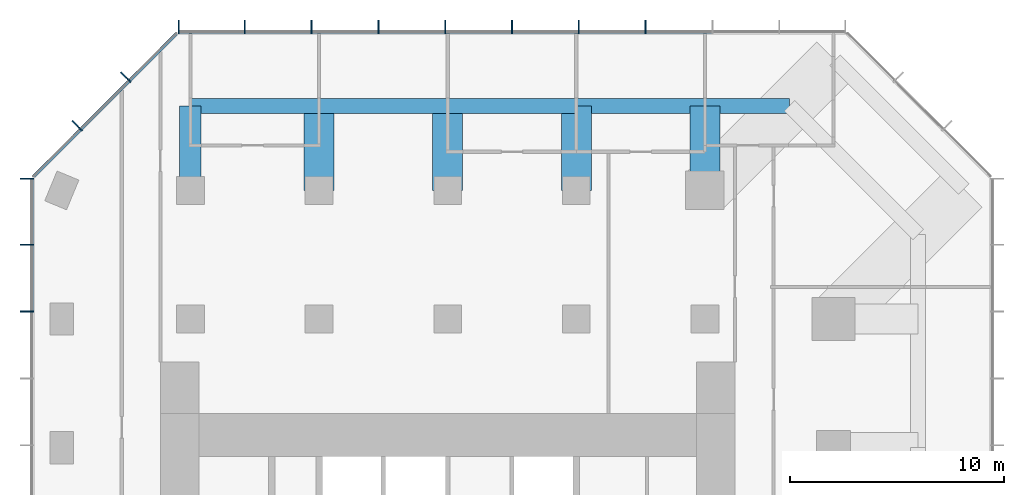
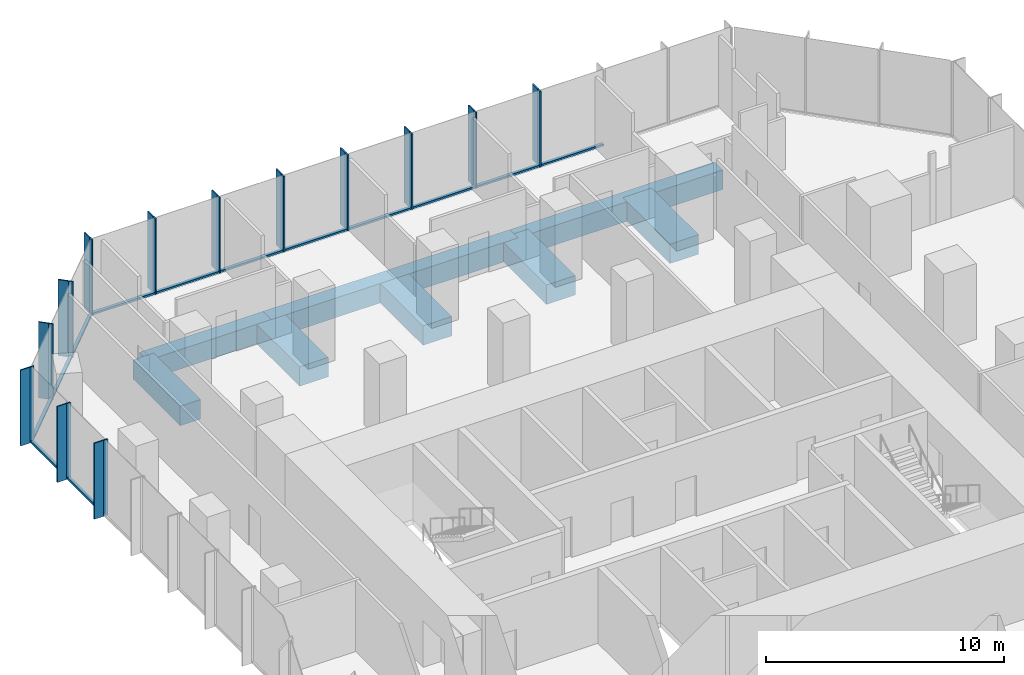
# One storey, part 5 of 11: 39 members, 9 beams, 3 elements without a shape of their own.
"""IFC4 building model written with IfcOpenShell, lengths in metres."""

from ifc_helpers import new_model, si_unit, direction, frame, origin, origin_2d, place, context, subcontext, project, spatial, rectangle, extrude, material, layer, layer_set, material_profile, profile_set, type_object, element, aggregate, save


model = new_model("IFC4")

# Units and contexts
model_context = context("Model", 3, precision=1e-05, world=origin(), true_north=direction((0.0, 1.0)))
body_context = subcontext(model_context, "Body", "Model", "MODEL_VIEW")
ifc_project = project(units=[si_unit("LENGTHUNIT", "METRE"), si_unit("AREAUNIT", "SQUARE_METRE"), si_unit("VOLUMEUNIT", "CUBIC_METRE"), si_unit("PLANEANGLEUNIT", "RADIAN"), si_unit("MASSUNIT", "GRAM", prefix="KILO")], contexts=[model_context])

# Site, building, storey
site_placement = place(None, origin())
site = spatial("IfcSite", under=ifc_project, at=site_placement, CompositionType="ELEMENT")
building_placement = place(site_placement, origin())
building = spatial("IfcBuilding", under=site, at=building_placement, Name="Highveld Stack Headquarters", CompositionType="ELEMENT")
storey_placement = place(building_placement, frame((0.0, 0.0, 177.199951171875)))
storey = spatial("IfcBuildingStorey", under=building, at=storey_placement, Name="L43", CompositionType="ELEMENT", Elevation=177.199951171875)

# Beams
ifc_material_1 = material(Name="Concrete C60/75", Category="concrete")
ifc_material_profile_1 = material_profile(ifc_material_1, rectangle(XDim=1.0, YDim=1.0, at=origin_2d()), Name="RC 1000x1000")
ifc_profile_set_1 = profile_set([ifc_material_profile_1], Name="Concrete C60/75")
beam_type_1 = type_object("IfcBeamType", Name="CANTILEVER RIB RC 1000x1000", PredefinedType="USERDEFINED", material=ifc_profile_set_1)
beam_1_placement = place(storey_placement, frame((-6.0, 24.0, -0.75), z_axis=(0.0, 1.0, 0.0), x_axis=(-1.0, 0.0, 0.0)))
element("IfcBeam", 1, at=beam_1_placement, inside=storey, type_object=beam_type_1, Name="Cantilever rib 5/J L43", ObjectType="CANTILEVER RIB", PredefinedType="USERDEFINED", context=body_context, shape_type="SweptSolid", body=[
    extrude(rectangle(XDim=1.0, YDim=1.0, at=origin_2d()), origin(), (0.0, 0.0, 1.0), 3.949951171875),
])
ifc_material_2 = material(Name="Concrete C60/75", Category="concrete")
ifc_material_profile_2 = material_profile(ifc_material_2, rectangle(XDim=1.39990234375, YDim=1.0, at=origin_2d()), Name="RC 1400x1000")
ifc_profile_set_2 = profile_set([ifc_material_profile_2], Name="Concrete C60/75")
beam_type_2 = type_object("IfcBeamType", Name="CANTILEVER RIB RC 1400x1000", PredefinedType="USERDEFINED", material=ifc_profile_set_2)
for number, where, z_axis, x_axis, name in (
    (2, (0.0, 24.0, -0.75), (0.0, 1.0, 0.0), (-1.0, 0.0, 0.0), "Cantilever rib 6/J L43"),
    (3, (6.0, 24.0, -0.75), (0.0, 1.0, 0.0), (-1.0, 0.0, 0.0), "Cantilever rib 7/J L43"),
    (4, (12.0, 24.0, -0.75), (0.0, 1.0, 0.0), (-1.0, 0.0, 0.0), "Cantilever rib 8/J L43"),
    (5, (18.0, 24.0, -0.75), (0.0, 1.0, 0.0), (-1.0, 0.0, 0.0), "Cantilever rib 9/J L43"),
):
    element("IfcBeam", number, at=place(storey_placement, frame(where, z_axis=z_axis, x_axis=x_axis)), inside=storey, type_object=beam_type_2, Name=name, ObjectType="CANTILEVER RIB", PredefinedType="USERDEFINED", context=body_context, shape_type="SweptSolid", body=[
        extrude(rectangle(XDim=1.39990234375, YDim=1.0, at=origin_2d()), origin(), (0.0, 0.0, 1.0), 3.949951171875),
    ])

# Curtain wall, members
ifc_material_3 = material(Name="Aluminium bronze anodised", Category="aluminium")
ifc_layer_1 = layer(ifc_material_3, 0.199951171875)
ifc_layer_set_1 = layer_set([ifc_layer_1], Name="Aluminium bronze anodised")
curtain_wall_type_1 = type_object("IfcCurtainWallType", Name="CW1 TOWER UNITISED CURTAIN WALL", PredefinedType="NOTDEFINED", material=ifc_layer_set_1)
curtain_wall_1_placement = place(storey_placement, origin())
curtain_wall_1 = element("IfcCurtainWall", 6, at=curtain_wall_1_placement, inside=storey, type_object=curtain_wall_type_1, Name="Curtain wall CW1 L43 N", PredefinedType="NOTDEFINED")
ifc_material_4 = material(Name="Aluminium bronze anodised", Category="aluminium")
ifc_material_profile_3 = material_profile(ifc_material_4, rectangle(XDim=0.449951171875, YDim=0.06005859375, at=origin_2d()), Name="FIN 450x60")
ifc_profile_set_3 = profile_set([ifc_material_profile_3], Name="Aluminium bronze anodised")
member_type_1 = type_object("IfcMemberType", Name="CW1 BRONZE FIN 450x60", PredefinedType="USERDEFINED", material=ifc_profile_set_3)
member_1_placement = place(storey_placement, frame((15.23193359375, 31.72509765625, 0.0), z_axis=(0.0, 0.0, 1.0), x_axis=(0.0, -1.0, 0.0)))
member_1 = element("IfcMember", 7, at=member_1_placement, type_object=member_type_1, Name="CW1 fin L43 4", ObjectType="FIN", PredefinedType="USERDEFINED", context=body_context, shape_type="SweptSolid", body=[
    extrude(rectangle(XDim=0.449951171875, YDim=0.06005859375, at=origin_2d()), origin(), (0.0, 0.0, 1.0), 3.900146484375),
])
member_2_placement = place(storey_placement, frame((12.115966796875, 31.72509765625, 0.0), z_axis=(0.0, 0.0, 1.0), x_axis=(0.0, -1.0, 0.0)))
member_2 = element("IfcMember", 8, at=member_2_placement, type_object=member_type_1, Name="CW1 fin L43 5", ObjectType="FIN", PredefinedType="USERDEFINED", context=body_context, shape_type="SweptSolid", body=[
    extrude(rectangle(XDim=0.449951171875, YDim=0.06005859375, at=origin_2d()), origin(), (0.0, 0.0, 1.0), 3.900146484375),
])
member_3_placement = place(storey_placement, frame((9.0, 31.72509765625, 0.0), z_axis=(0.0, 0.0, 1.0), x_axis=(0.0, -1.0, 0.0)))
member_3 = element("IfcMember", 9, at=member_3_placement, type_object=member_type_1, Name="CW1 fin L43 6", ObjectType="FIN", PredefinedType="USERDEFINED", context=body_context, shape_type="SweptSolid", body=[
    extrude(rectangle(XDim=0.449951171875, YDim=0.06005859375, at=origin_2d()), origin(), (0.0, 0.0, 1.0), 3.900146484375),
])
member_4_placement = place(storey_placement, frame((5.884033203125, 31.72509765625, 0.0), z_axis=(0.0, 0.0, 1.0), x_axis=(0.0, -1.0, 0.0)))
member_4 = element("IfcMember", 10, at=member_4_placement, type_object=member_type_1, Name="CW1 fin L43 7", ObjectType="FIN", PredefinedType="USERDEFINED", context=body_context, shape_type="SweptSolid", body=[
    extrude(rectangle(XDim=0.449951171875, YDim=0.06005859375, at=origin_2d()), origin(), (0.0, 0.0, 1.0), 3.900146484375),
])
member_5_placement = place(storey_placement, frame((2.76806640625, 31.72509765625, 0.0), z_axis=(0.0, 0.0, 1.0), x_axis=(0.0, -1.0, 0.0)))
member_5 = element("IfcMember", 11, at=member_5_placement, type_object=member_type_1, Name="CW1 fin L43 8", ObjectType="FIN", PredefinedType="USERDEFINED", context=body_context, shape_type="SweptSolid", body=[
    extrude(rectangle(XDim=0.449951171875, YDim=0.06005859375, at=origin_2d()), origin(), (0.0, 0.0, 1.0), 3.900146484375),
])
member_6_placement = place(storey_placement, frame((-0.347900390625, 31.72509765625, 0.0), z_axis=(0.0, 0.0, 1.0), x_axis=(0.0, -1.0, 0.0)))
member_6 = element("IfcMember", 12, at=member_6_placement, type_object=member_type_1, Name="CW1 fin L43 9", ObjectType="FIN", PredefinedType="USERDEFINED", context=body_context, shape_type="SweptSolid", body=[
    extrude(rectangle(XDim=0.449951171875, YDim=0.06005859375, at=origin_2d()), origin(), (0.0, 0.0, 1.0), 3.900146484375),
])
member_7_placement = place(storey_placement, frame((-3.4638671875, 31.72509765625, 0.0), z_axis=(0.0, 0.0, 1.0), x_axis=(0.0, -1.0, 0.0)))
member_7 = element("IfcMember", 13, at=member_7_placement, type_object=member_type_1, Name="CW1 fin L43 10", ObjectType="FIN", PredefinedType="USERDEFINED", context=body_context, shape_type="SweptSolid", body=[
    extrude(rectangle(XDim=0.449951171875, YDim=0.06005859375, at=origin_2d()), origin(), (0.0, 0.0, 1.0), 3.900146484375),
])
member_8_placement = place(storey_placement, frame((-6.54736328125, 31.72509765625, 0.0), z_axis=(0.0, 0.0, 1.0), x_axis=(0.0, -1.0, 0.0)))
member_8 = element("IfcMember", 14, at=member_8_placement, type_object=member_type_1, Name="CW1 fin L43 11", ObjectType="FIN", PredefinedType="USERDEFINED", context=body_context, shape_type="SweptSolid", body=[
    extrude(rectangle(XDim=0.449951171875, YDim=0.06005859375, at=origin_2d()), origin(), (0.0, 0.0, 1.0), 3.900146484375),
])

curtain_wall_2_placement = place(storey_placement, origin())
curtain_wall_2 = element("IfcCurtainWall", 15, at=curtain_wall_2_placement, inside=storey, type_object=curtain_wall_type_1, Name="Curtain wall CW1 L43 W", PredefinedType="NOTDEFINED")
member_9_placement = place(storey_placement, frame((-13.72509765625, 24.54736328125, 0.0), z_axis=(0.0, 0.0, 1.0), x_axis=(1.0, 0.0, 0.0)))
member_9 = element("IfcMember", 16, at=member_9_placement, type_object=member_type_1, Name="CW1 fin L43 1", ObjectType="FIN", PredefinedType="USERDEFINED", context=body_context, shape_type="SweptSolid", body=[
    extrude(rectangle(XDim=0.449951171875, YDim=0.06005859375, at=origin_2d()), origin(), (0.0, 0.0, 1.0), 3.900146484375),
])
member_10_placement = place(storey_placement, frame((-13.72509765625, 21.4638671875, 0.0), z_axis=(0.0, 0.0, 1.0), x_axis=(1.0, 0.0, 0.0)))
member_10 = element("IfcMember", 17, at=member_10_placement, type_object=member_type_1, Name="CW1 fin L43 2", ObjectType="FIN", PredefinedType="USERDEFINED", context=body_context, shape_type="SweptSolid", body=[
    extrude(rectangle(XDim=0.449951171875, YDim=0.06005859375, at=origin_2d()), origin(), (0.0, 0.0, 1.0), 3.900146484375),
])
member_11_placement = place(storey_placement, frame((-13.72509765625, 18.347900390625, 0.0), z_axis=(0.0, 0.0, 1.0), x_axis=(1.0, 0.0, 0.0)))
member_11 = element("IfcMember", 18, at=member_11_placement, type_object=member_type_1, Name="CW1 fin L43 3", ObjectType="FIN", PredefinedType="USERDEFINED", context=body_context, shape_type="SweptSolid", body=[
    extrude(rectangle(XDim=0.449951171875, YDim=0.06005859375, at=origin_2d()), origin(), (0.0, 0.0, 1.0), 3.900146484375),
])

# Member
ifc_material_5 = material(Name="Aluminium bronze anodised", Category="aluminium")
ifc_material_profile_4 = material_profile(ifc_material_5, rectangle(XDim=0.199951171875, YDim=0.06494140625, at=origin_2d()), Name="CW1 MULLION 65x200")
ifc_profile_set_4 = profile_set([ifc_material_profile_4], Name="Aluminium bronze anodised")
member_type_2 = type_object("IfcMemberType", Name="CW1 MULLION 65x200", PredefinedType="MULLION", material=ifc_profile_set_4)
member_12_placement = place(storey_placement, frame((15.23193359375, 31.39990234375, 0.0), z_axis=(0.0, 0.0, 1.0), x_axis=(0.0, -1.0, 0.0)))
member_12 = element("IfcMember", 19, at=member_12_placement, type_object=member_type_2, Name="CW1 mullion L43 4", PredefinedType="MULLION", context=body_context, shape_type="SweptSolid", body=[
    extrude(rectangle(XDim=0.199951171875, YDim=0.06494140625, at=origin_2d()), origin(), (0.0, 0.0, 1.0), 3.900146484375),
])

member_13_placement = place(storey_placement, frame((12.115966796875, 31.39990234375, 0.0), z_axis=(0.0, 0.0, 1.0), x_axis=(0.0, -1.0, 0.0)))
member_13 = element("IfcMember", 20, at=member_13_placement, type_object=member_type_2, Name="CW1 mullion L43 5", PredefinedType="MULLION", context=body_context, shape_type="SweptSolid", body=[
    extrude(rectangle(XDim=0.199951171875, YDim=0.06494140625, at=origin_2d()), origin(), (0.0, 0.0, 1.0), 3.900146484375),
])

member_14_placement = place(storey_placement, frame((9.0, 31.39990234375, 0.0), z_axis=(0.0, 0.0, 1.0), x_axis=(0.0, -1.0, 0.0)))
member_14 = element("IfcMember", 21, at=member_14_placement, type_object=member_type_2, Name="CW1 mullion L43 6", PredefinedType="MULLION", context=body_context, shape_type="SweptSolid", body=[
    extrude(rectangle(XDim=0.199951171875, YDim=0.06494140625, at=origin_2d()), origin(), (0.0, 0.0, 1.0), 3.900146484375),
])

member_15_placement = place(storey_placement, frame((5.884033203125, 31.39990234375, 0.0), z_axis=(0.0, 0.0, 1.0), x_axis=(0.0, -1.0, 0.0)))
member_15 = element("IfcMember", 22, at=member_15_placement, type_object=member_type_2, Name="CW1 mullion L43 7", PredefinedType="MULLION", context=body_context, shape_type="SweptSolid", body=[
    extrude(rectangle(XDim=0.199951171875, YDim=0.06494140625, at=origin_2d()), origin(), (0.0, 0.0, 1.0), 3.900146484375),
])

member_16_placement = place(storey_placement, frame((2.76806640625, 31.39990234375, 0.0), z_axis=(0.0, 0.0, 1.0), x_axis=(0.0, -1.0, 0.0)))
member_16 = element("IfcMember", 23, at=member_16_placement, type_object=member_type_2, Name="CW1 mullion L43 8", PredefinedType="MULLION", context=body_context, shape_type="SweptSolid", body=[
    extrude(rectangle(XDim=0.199951171875, YDim=0.06494140625, at=origin_2d()), origin(), (0.0, 0.0, 1.0), 3.900146484375),
])

member_17_placement = place(storey_placement, frame((-0.347900390625, 31.39990234375, 0.0), z_axis=(0.0, 0.0, 1.0), x_axis=(0.0, -1.0, 0.0)))
member_17 = element("IfcMember", 24, at=member_17_placement, type_object=member_type_2, Name="CW1 mullion L43 9", PredefinedType="MULLION", context=body_context, shape_type="SweptSolid", body=[
    extrude(rectangle(XDim=0.199951171875, YDim=0.06494140625, at=origin_2d()), origin(), (0.0, 0.0, 1.0), 3.900146484375),
])

member_18_placement = place(storey_placement, frame((-3.4638671875, 31.39990234375, 0.0), z_axis=(0.0, 0.0, 1.0), x_axis=(0.0, -1.0, 0.0)))
member_18 = element("IfcMember", 25, at=member_18_placement, type_object=member_type_2, Name="CW1 mullion L43 10", PredefinedType="MULLION", context=body_context, shape_type="SweptSolid", body=[
    extrude(rectangle(XDim=0.199951171875, YDim=0.06494140625, at=origin_2d()), origin(), (0.0, 0.0, 1.0), 3.900146484375),
])

member_19_placement = place(storey_placement, frame((-6.54736328125, 31.39990234375, 0.0), z_axis=(0.0, 0.0, 1.0), x_axis=(0.0, -1.0, 0.0)))
member_19 = element("IfcMember", 26, at=member_19_placement, type_object=member_type_2, Name="CW1 mullion L43 11", PredefinedType="MULLION", context=body_context, shape_type="SweptSolid", body=[
    extrude(rectangle(XDim=0.199951171875, YDim=0.06494140625, at=origin_2d()), origin(), (0.0, 0.0, 1.0), 3.900146484375),
])

member_20_placement = place(storey_placement, frame((-13.39990234375, 24.54736328125, 0.0), z_axis=(0.0, 0.0, 1.0), x_axis=(1.0, 0.0, 0.0)))
member_20 = element("IfcMember", 27, at=member_20_placement, type_object=member_type_2, Name="CW1 mullion L43 1", PredefinedType="MULLION", context=body_context, shape_type="SweptSolid", body=[
    extrude(rectangle(XDim=0.199951171875, YDim=0.06494140625, at=origin_2d()), origin(), (0.0, 0.0, 1.0), 3.900146484375),
])

member_21_placement = place(storey_placement, frame((-13.39990234375, 21.4638671875, 0.0), z_axis=(0.0, 0.0, 1.0), x_axis=(1.0, 0.0, 0.0)))
member_21 = element("IfcMember", 28, at=member_21_placement, type_object=member_type_2, Name="CW1 mullion L43 2", PredefinedType="MULLION", context=body_context, shape_type="SweptSolid", body=[
    extrude(rectangle(XDim=0.199951171875, YDim=0.06494140625, at=origin_2d()), origin(), (0.0, 0.0, 1.0), 3.900146484375),
])

member_22_placement = place(storey_placement, frame((-13.39990234375, 18.347900390625, 0.0), z_axis=(0.0, 0.0, 1.0), x_axis=(1.0, 0.0, 0.0)))
member_22 = element("IfcMember", 29, at=member_22_placement, type_object=member_type_2, Name="CW1 mullion L43 3", PredefinedType="MULLION", context=body_context, shape_type="SweptSolid", body=[
    extrude(rectangle(XDim=0.199951171875, YDim=0.06494140625, at=origin_2d()), origin(), (0.0, 0.0, 1.0), 3.900146484375),
])

ifc_material_6 = material(Name="Aluminium bronze anodised", Category="aluminium")
ifc_material_profile_5 = material_profile(ifc_material_6, rectangle(XDim=0.14990234375, YDim=0.10009765625, at=origin_2d()), Name="CW1 TRANSOM 150x100")
ifc_profile_set_5 = profile_set([ifc_material_profile_5], Name="Aluminium bronze anodised")
member_type_3 = type_object("IfcMemberType", Name="CW1 STACK TRANSOM 150x100", PredefinedType="USERDEFINED", material=ifc_profile_set_5)
member_23_placement = place(storey_placement, frame((18.3154296875, 31.39990234375, 0.050048828125), z_axis=(-1.0, 0.0, 0.0), x_axis=(0.0, -1.0, 0.0)))
member_23 = element("IfcMember", 30, at=member_23_placement, type_object=member_type_3, Name="CW1 transom L43 3.1", ObjectType="TRANSOM", PredefinedType="USERDEFINED", context=body_context, shape_type="SweptSolid", body=[
    extrude(rectangle(XDim=0.14990234375, YDim=0.10009765625, at=origin_2d()), origin(), (0.0, 0.0, 1.0), 3.051025390625),
])

member_24_placement = place(storey_placement, frame((15.199462890625, 31.39990234375, 0.050048828125), z_axis=(-1.0, 0.0, 0.0), x_axis=(0.0, -1.0, 0.0)))
member_24 = element("IfcMember", 31, at=member_24_placement, type_object=member_type_3, Name="CW1 transom L43 4.1", ObjectType="TRANSOM", PredefinedType="USERDEFINED", context=body_context, shape_type="SweptSolid", body=[
    extrude(rectangle(XDim=0.14990234375, YDim=0.10009765625, at=origin_2d()), origin(), (0.0, 0.0, 1.0), 3.051025390625),
])

member_25_placement = place(storey_placement, frame((12.08349609375, 31.39990234375, 0.050048828125), z_axis=(-1.0, 0.0, 0.0), x_axis=(0.0, -1.0, 0.0)))
member_25 = element("IfcMember", 32, at=member_25_placement, type_object=member_type_3, Name="CW1 transom L43 5.1", ObjectType="TRANSOM", PredefinedType="USERDEFINED", context=body_context, shape_type="SweptSolid", body=[
    extrude(rectangle(XDim=0.14990234375, YDim=0.10009765625, at=origin_2d()), origin(), (0.0, 0.0, 1.0), 3.051025390625),
])

member_26_placement = place(storey_placement, frame((8.967529296875, 31.39990234375, 0.050048828125), z_axis=(-1.0, 0.0, 0.0), x_axis=(0.0, -1.0, 0.0)))
member_26 = element("IfcMember", 33, at=member_26_placement, type_object=member_type_3, Name="CW1 transom L43 6.1", ObjectType="TRANSOM", PredefinedType="USERDEFINED", context=body_context, shape_type="SweptSolid", body=[
    extrude(rectangle(XDim=0.14990234375, YDim=0.10009765625, at=origin_2d()), origin(), (0.0, 0.0, 1.0), 3.051025390625),
])

member_27_placement = place(storey_placement, frame((5.8515625, 31.39990234375, 0.050048828125), z_axis=(-1.0, 0.0, 0.0), x_axis=(0.0, -1.0, 0.0)))
member_27 = element("IfcMember", 34, at=member_27_placement, type_object=member_type_3, Name="CW1 transom L43 7.1", ObjectType="TRANSOM", PredefinedType="USERDEFINED", context=body_context, shape_type="SweptSolid", body=[
    extrude(rectangle(XDim=0.14990234375, YDim=0.10009765625, at=origin_2d()), origin(), (0.0, 0.0, 1.0), 3.051025390625),
])

member_28_placement = place(storey_placement, frame((2.735595703125, 31.39990234375, 0.050048828125), z_axis=(-1.0, 0.0, 0.0), x_axis=(0.0, -1.0, 0.0)))
member_28 = element("IfcMember", 35, at=member_28_placement, type_object=member_type_3, Name="CW1 transom L43 8.1", ObjectType="TRANSOM", PredefinedType="USERDEFINED", context=body_context, shape_type="SweptSolid", body=[
    extrude(rectangle(XDim=0.14990234375, YDim=0.10009765625, at=origin_2d()), origin(), (0.0, 0.0, 1.0), 3.051025390625),
])

member_29_placement = place(storey_placement, frame((-0.38037109375, 31.39990234375, 0.050048828125), z_axis=(-1.0, 0.0, 0.0), x_axis=(0.0, -1.0, 0.0)))
member_29 = element("IfcMember", 36, at=member_29_placement, type_object=member_type_3, Name="CW1 transom L43 9.1", ObjectType="TRANSOM", PredefinedType="USERDEFINED", context=body_context, shape_type="SweptSolid", body=[
    extrude(rectangle(XDim=0.14990234375, YDim=0.10009765625, at=origin_2d()), origin(), (0.0, 0.0, 1.0), 3.051025390625),
])

member_30_placement = place(storey_placement, frame((-3.496337890625, 31.39990234375, 0.050048828125), z_axis=(-1.0, 0.0, 0.0), x_axis=(0.0, -1.0, 0.0)))
member_30 = element("IfcMember", 37, at=member_30_placement, type_object=member_type_3, Name="CW1 transom L43 10.1", ObjectType="TRANSOM", PredefinedType="USERDEFINED", context=body_context, shape_type="SweptSolid", body=[
    extrude(rectangle(XDim=0.14990234375, YDim=0.10009765625, at=origin_2d()), origin(), (0.0, 0.0, 1.0), 3.0185546875),
])

aggregate(curtain_wall_1, [member_12, member_1, member_13, member_2, member_14, member_3, member_15, member_4, member_16, member_5, member_17, member_6, member_18, member_7, member_19, member_8, member_23, member_24, member_25, member_26, member_27, member_28, member_29, member_30])

member_31_placement = place(storey_placement, frame((-13.39990234375, 24.514892578125, 0.050048828125), z_axis=(0.0, -1.0, 0.0), x_axis=(1.0, 0.0, 0.0)))
member_31 = element("IfcMember", 38, at=member_31_placement, type_object=member_type_3, Name="CW1 transom L43 1.1", ObjectType="TRANSOM", PredefinedType="USERDEFINED", context=body_context, shape_type="SweptSolid", body=[
    extrude(rectangle(XDim=0.14990234375, YDim=0.10009765625, at=origin_2d()), origin(), (0.0, 0.0, 1.0), 3.0185546875),
])

member_32_placement = place(storey_placement, frame((-13.39990234375, 21.431396484375, 0.050048828125), z_axis=(0.0, -1.0, 0.0), x_axis=(1.0, 0.0, 0.0)))
member_32 = element("IfcMember", 39, at=member_32_placement, type_object=member_type_3, Name="CW1 transom L43 2.1", ObjectType="TRANSOM", PredefinedType="USERDEFINED", context=body_context, shape_type="SweptSolid", body=[
    extrude(rectangle(XDim=0.14990234375, YDim=0.10009765625, at=origin_2d()), origin(), (0.0, 0.0, 1.0), 3.051025390625),
])

aggregate(curtain_wall_2, [member_20, member_9, member_21, member_10, member_22, member_11, member_31, member_32])

# Curtain wall, members
ifc_material_7 = material(Name="Aluminium bronze anodised", Category="aluminium")
ifc_layer_2 = layer(ifc_material_7, 0.199951171875)
ifc_layer_set_2 = layer_set([ifc_layer_2], Name="Aluminium bronze anodised")
curtain_wall_type_2 = type_object("IfcCurtainWallType", Name="CW2 TOWER CHAMFER UNITISED CURTAIN WALL", PredefinedType="NOTDEFINED", material=ifc_layer_set_2)
curtain_wall_3_placement = place(storey_placement, origin())
curtain_wall_3 = element("IfcCurtainWall", 40, at=curtain_wall_3_placement, inside=storey, type_object=curtain_wall_type_2, Name="Curtain wall CW2 L43 NW", PredefinedType="NOTDEFINED")
ifc_material_8 = material(Name="Aluminium bronze anodised", Category="aluminium")
ifc_material_profile_6 = material_profile(ifc_material_8, rectangle(XDim=0.449951171875, YDim=0.06005859375, at=origin_2d()), Name="FIN 450x60")
ifc_profile_set_6 = profile_set([ifc_material_profile_6], Name="Aluminium bronze anodised")
member_type_4 = type_object("IfcMemberType", Name="CW2 BRONZE FIN 450x60", PredefinedType="USERDEFINED", material=ifc_profile_set_6)
member_33_placement = place(storey_placement, frame((-9.0830078125, 29.3564453125, 0.0), z_axis=(0.0, 0.0, 1.0), x_axis=(0.707106781187, -0.707106781187, 0.0)))
member_33 = element("IfcMember", 41, at=member_33_placement, type_object=member_type_4, Name="CW2 fin L43 1", ObjectType="FIN", PredefinedType="USERDEFINED", context=body_context, shape_type="SweptSolid", body=[
    extrude(rectangle(XDim=0.449951171875, YDim=0.06005859375, at=origin_2d()), origin(), (0.0, 0.0, 1.0), 3.900146484375),
])
member_34_placement = place(storey_placement, frame((-11.3564453125, 27.0830078125, 0.0), z_axis=(0.0, 0.0, 1.0), x_axis=(0.707106781187, -0.707106781187, 0.0)))
member_34 = element("IfcMember", 42, at=member_34_placement, type_object=member_type_4, Name="CW2 fin L43 2", ObjectType="FIN", PredefinedType="USERDEFINED", context=body_context, shape_type="SweptSolid", body=[
    extrude(rectangle(XDim=0.449951171875, YDim=0.06005859375, at=origin_2d()), origin(), (0.0, 0.0, 1.0), 3.900146484375),
])
ifc_material_9 = material(Name="Aluminium bronze anodised", Category="aluminium")
ifc_material_profile_7 = material_profile(ifc_material_9, rectangle(XDim=0.199951171875, YDim=0.06494140625, at=origin_2d()), Name="CW2 MULLION 65x200")
ifc_profile_set_7 = profile_set([ifc_material_profile_7], Name="Aluminium bronze anodised")
member_type_5 = type_object("IfcMemberType", Name="CW2 MULLION 65x200", PredefinedType="MULLION", material=ifc_profile_set_7)
member_35_placement = place(storey_placement, frame((-8.853271484375, 29.126708984375, 0.0), z_axis=(0.0, 0.0, 1.0), x_axis=(0.707106781187, -0.707106781187, 0.0)))
member_35 = element("IfcMember", 43, at=member_35_placement, type_object=member_type_5, Name="CW2 mullion L43 1", PredefinedType="MULLION", context=body_context, shape_type="SweptSolid", body=[
    extrude(rectangle(XDim=0.199951171875, YDim=0.06494140625, at=origin_2d()), origin(), (0.0, 0.0, 1.0), 3.900146484375),
])
member_36_placement = place(storey_placement, frame((-11.126708984375, 26.853271484375, 0.0), z_axis=(0.0, 0.0, 1.0), x_axis=(0.707106781187, -0.707106781187, 0.0)))
member_36 = element("IfcMember", 44, at=member_36_placement, type_object=member_type_5, Name="CW2 mullion L43 2", PredefinedType="MULLION", context=body_context, shape_type="SweptSolid", body=[
    extrude(rectangle(XDim=0.199951171875, YDim=0.06494140625, at=origin_2d()), origin(), (0.0, 0.0, 1.0), 3.900146484375),
])
ifc_material_10 = material(Name="Aluminium bronze anodised", Category="aluminium")
ifc_material_profile_8 = material_profile(ifc_material_10, rectangle(XDim=0.14990234375, YDim=0.10009765625, at=origin_2d()), Name="CW2 TRANSOM 150x100")
ifc_profile_set_8 = profile_set([ifc_material_profile_8], Name="Aluminium bronze anodised")
member_type_6 = type_object("IfcMemberType", Name="CW2 STACK TRANSOM 150x100", PredefinedType="USERDEFINED", material=ifc_profile_set_8)
member_37_placement = place(storey_placement, frame((-6.650634765625, 31.329345703125, 0.050048828125), z_axis=(-0.707106781187, -0.707106781187, 0.0), x_axis=(0.707106781187, -0.707106781187, 0.0)))
member_37 = element("IfcMember", 45, at=member_37_placement, type_object=member_type_6, Name="CW2 transom L43 1.1", ObjectType="TRANSOM", PredefinedType="USERDEFINED", context=body_context, shape_type="SweptSolid", body=[
    extrude(rectangle(XDim=0.14990234375, YDim=0.10009765625, at=origin_2d()), origin(), (0.0, 0.0, 1.0), 3.08251953125),
])
member_38_placement = place(storey_placement, frame((-8.876220703125, 29.103759765625, 0.050048828125), z_axis=(-0.707106781187, -0.707106781187, 0.0), x_axis=(0.707106781187, -0.707106781187, 0.0)))
member_38 = element("IfcMember", 46, at=member_38_placement, type_object=member_type_6, Name="CW2 transom L43 2.1", ObjectType="TRANSOM", PredefinedType="USERDEFINED", context=body_context, shape_type="SweptSolid", body=[
    extrude(rectangle(XDim=0.14990234375, YDim=0.10009765625, at=origin_2d()), origin(), (0.0, 0.0, 1.0), 3.150146484375),
])
member_39_placement = place(storey_placement, frame((-11.149658203125, 26.830322265625, 0.050048828125), z_axis=(-0.707106781187, -0.707106781187, 0.0), x_axis=(0.707106781187, -0.707106781187, 0.0)))
member_39 = element("IfcMember", 47, at=member_39_placement, type_object=member_type_6, Name="CW2 transom L43 3.1", ObjectType="TRANSOM", PredefinedType="USERDEFINED", context=body_context, shape_type="SweptSolid", body=[
    extrude(rectangle(XDim=0.14990234375, YDim=0.10009765625, at=origin_2d()), origin(), (0.0, 0.0, 1.0), 3.08251953125),
])
aggregate(curtain_wall_3, [member_35, member_33, member_36, member_34, member_37, member_38, member_39])

# Beams
ifc_material_11 = material(Name="Concrete C60/75", Category="concrete")
ifc_material_profile_9 = material_profile(ifc_material_11, rectangle(XDim=0.699951171875, YDim=1.0, at=origin_2d()), Name="RC 700x1000")
ifc_profile_set_9 = profile_set([ifc_material_profile_9], Name="Concrete C60/75")
beam_type_3 = type_object("IfcBeamType", Name="RIB TIP BEAM RC 700x1000", PredefinedType="SPANDREL", material=ifc_profile_set_9)
for number, where, z_axis, x_axis, name in (
    (48, (-6.0, 27.949951171875, -0.75), (1.0, 0.0, 0.0), (0.0, 1.0, 0.0), "Rib tip beam 5/J to 6/J L43"),
    (49, (0.0, 27.949951171875, -0.75), (1.0, 0.0, 0.0), (0.0, 1.0, 0.0), "Rib tip beam 6/J to 7/J L43"),
    (50, (6.0, 27.949951171875, -0.75), (1.0, 0.0, 0.0), (0.0, 1.0, 0.0), "Rib tip beam 7/J to 8/J L43"),
):
    element("IfcBeam", number, at=place(storey_placement, frame(where, z_axis=z_axis, x_axis=x_axis)), inside=storey, type_object=beam_type_3, Name=name, PredefinedType="SPANDREL", context=body_context, shape_type="SweptSolid", body=[
        extrude(rectangle(XDim=0.699951171875, YDim=1.0, at=origin_2d()), origin(), (0.0, 0.0, 1.0), 6.0),
    ])
beam_2_placement = place(storey_placement, frame((12.0, 27.949951171875, -0.75), z_axis=(1.0, 0.0, 0.0), x_axis=(0.0, 1.0, 0.0)))
element("IfcBeam", 51, at=beam_2_placement, inside=storey, type_object=beam_type_3, Name="Rib tip beam 8/J to 9/J L43", PredefinedType="SPANDREL", context=body_context, shape_type="SweptSolid", body=[
    extrude(rectangle(XDim=0.699951171875, YDim=1.0, at=origin_2d()), origin(), (0.0, 0.0, 1.0), 9.949951171875),
])

save(model, "model.ifc")
